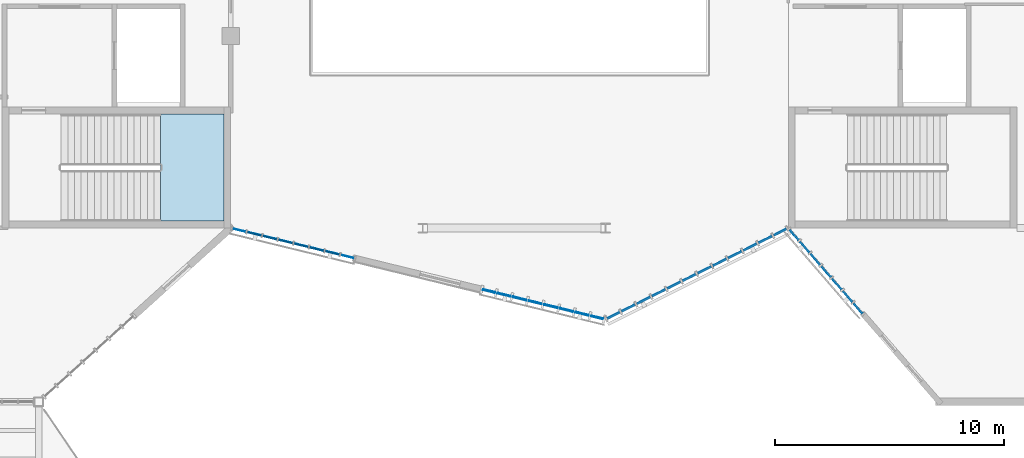
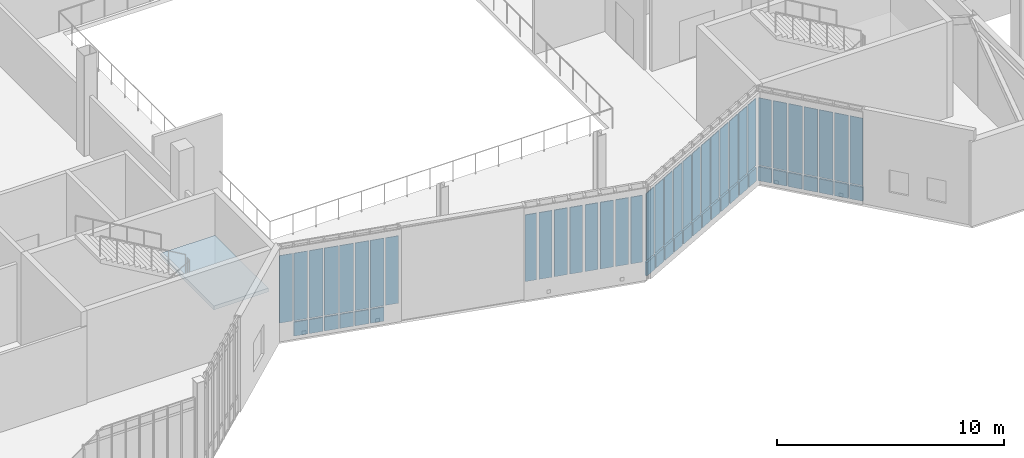
# One storey, part 73 of 127: 60 plates, 1 slab, 5 elements without a shape of their own.
"""IFC4 building model written with IfcOpenShell, lengths in metres."""

from ifc_helpers import new_model, si_unit, direction, frame, origin, origin_2d, place, context, subcontext, project, spatial, polyline, rectangle, outline, extrude, material, layer, layer_set, type_object, element, aggregate, save


model = new_model("IFC4")

# Units and contexts
model_context = context("Model", 3, precision=1e-05, world=origin(), true_north=direction((0.0, 1.0)))
body_context = subcontext(model_context, "Body", "Model", "MODEL_VIEW")
ifc_project = project(units=[si_unit("LENGTHUNIT", "METRE"), si_unit("AREAUNIT", "SQUARE_METRE"), si_unit("VOLUMEUNIT", "CUBIC_METRE"), si_unit("PLANEANGLEUNIT", "RADIAN"), si_unit("MASSUNIT", "GRAM", prefix="KILO")], contexts=[model_context])

# Site, building, storey
site_placement = place(None, origin())
site = spatial("IfcSite", under=ifc_project, at=site_placement, CompositionType="ELEMENT")
building_placement = place(site_placement, origin())
building = spatial("IfcBuilding", under=site, at=building_placement, Name="Larkvane Passage Sports Hall", CompositionType="ELEMENT")
storey_placement = place(building_placement, frame((0.0, 0.0, 5.39990234375)))
storey = spatial("IfcBuildingStorey", under=building, at=storey_placement, Name="L01", CompositionType="ELEMENT", Elevation=5.39990234375)

# Curtain wall, plates
ifc_material_1 = material(Name="Thermally broken aluminium and low-E glazing", Category="aluminium")
curtain_wall_type_1 = type_object("IfcCurtainWallType", Name="CW-STICK-FOYER", PredefinedType="USERDEFINED", material=ifc_material_1)
curtain_wall_1_placement = place(storey_placement, origin())
curtain_wall_1 = element("IfcCurtainWall", 1, at=curtain_wall_1_placement, inside=storey, type_object=curtain_wall_type_1, Name="Curtain wall CW5-L01-062", ObjectType="STICK CURTAIN WALL", PredefinedType="USERDEFINED")
ifc_material_2 = material(Name="Fire-stopped shadow-box spandrel panel")
ifc_layer_1 = layer(ifc_material_2, 0.10498046875)
ifc_layer_set_1 = layer_set([ifc_layer_1], Name="Fire-stopped shadow-box spandrel panel")
plate_type_1 = type_object("IfcPlateType", Name="CWP-SPD-105", PredefinedType="CURTAIN_PANEL", material=ifc_layer_set_1)
plate_1_placement = place(storey_placement, frame((117.64013671875, 22.6201171875, 0.080078125), z_axis=(0.0, 0.0, 1.0), x_axis=(-0.894429429556, -0.44720911836, 0.0)))
plate_1 = element("IfcPlate", 2, at=plate_1_placement, type_object=plate_type_1, Name="CW-03 panel 1.1", PredefinedType="CURTAIN_PANEL", context=body_context, shape_type="SweptSolid", body=[
    extrude(rectangle(XDim=0.62451171875, YDim=0.10498046875, at=origin_2d()), origin(), (0.0, 0.0, 1.0), 0.72998046875),
])
plate_2_placement = place(storey_placement, frame((116.9921875, 22.296142578125, 0.080078125), z_axis=(0.0, 0.0, 1.0), x_axis=(-0.894429429556, -0.44720911836, 0.0)))
plate_2 = element("IfcPlate", 3, at=plate_2_placement, type_object=plate_type_1, Name="CW-03 panel 2.1", PredefinedType="CURTAIN_PANEL", context=body_context, shape_type="SweptSolid", body=[
    extrude(rectangle(XDim=0.66455078125, YDim=0.10498046875, at=origin_2d()), origin(), (0.0, 0.0, 1.0), 0.72998046875),
])
plate_3_placement = place(storey_placement, frame((116.326171875, 21.963134765625, 0.080078125), z_axis=(0.0, 0.0, 1.0), x_axis=(-0.894429429556, -0.44720911836, 0.0)))
plate_3 = element("IfcPlate", 4, at=plate_3_placement, type_object=plate_type_1, Name="CW-03 panel 3.1", PredefinedType="CURTAIN_PANEL", context=body_context, shape_type="SweptSolid", body=[
    extrude(rectangle(XDim=0.66455078125, YDim=0.10498046875, at=origin_2d()), origin(), (0.0, 0.0, 1.0), 0.72998046875),
])
plate_4_placement = place(storey_placement, frame((115.660400390625, 21.630126953125, 0.080078125), z_axis=(0.0, 0.0, 1.0), x_axis=(-0.894429429556, -0.44720911836, 0.0)))
plate_4 = element("IfcPlate", 5, at=plate_4_placement, type_object=plate_type_1, Name="CW-03 panel 4.1", PredefinedType="CURTAIN_PANEL", context=body_context, shape_type="SweptSolid", body=[
    extrude(rectangle(XDim=0.66455078125, YDim=0.10498046875, at=origin_2d()), origin(), (0.0, 0.0, 1.0), 0.72998046875),
])
plate_5_placement = place(storey_placement, frame((114.994384765625, 21.297119140625, 0.080078125), z_axis=(0.0, 0.0, 1.0), x_axis=(-0.894429429556, -0.44720911836, 0.0)))
plate_5 = element("IfcPlate", 6, at=plate_5_placement, type_object=plate_type_1, Name="CW-03 panel 5.1", PredefinedType="CURTAIN_PANEL", context=body_context, shape_type="SweptSolid", body=[
    extrude(rectangle(XDim=0.66455078125, YDim=0.10498046875, at=origin_2d()), origin(), (0.0, 0.0, 1.0), 0.72998046875),
])
plate_6_placement = place(storey_placement, frame((114.32861328125, 20.964111328125, 0.080078125), z_axis=(0.0, 0.0, 1.0), x_axis=(-0.894429429556, -0.44720911836, 0.0)))
plate_6 = element("IfcPlate", 7, at=plate_6_placement, type_object=plate_type_1, Name="CW-03 panel 6.1", PredefinedType="CURTAIN_PANEL", context=body_context, shape_type="SweptSolid", body=[
    extrude(rectangle(XDim=0.66455078125, YDim=0.10498046875, at=origin_2d()), origin(), (0.0, 0.0, 1.0), 0.72998046875),
])
plate_7_placement = place(storey_placement, frame((113.66259765625, 20.63134765625, 0.080078125), z_axis=(0.0, 0.0, 1.0), x_axis=(-0.894429429556, -0.44720911836, 0.0)))
plate_7 = element("IfcPlate", 8, at=plate_7_placement, type_object=plate_type_1, Name="CW-03 panel 7.1", PredefinedType="CURTAIN_PANEL", context=body_context, shape_type="SweptSolid", body=[
    extrude(rectangle(XDim=0.66455078125, YDim=0.10498046875, at=origin_2d()), origin(), (0.0, 0.0, 1.0), 0.72998046875),
])
plate_8_placement = place(storey_placement, frame((112.99658203125, 20.29833984375, 0.080078125), z_axis=(0.0, 0.0, 1.0), x_axis=(-0.894429429556, -0.44720911836, 0.0)))
plate_8 = element("IfcPlate", 9, at=plate_8_placement, type_object=plate_type_1, Name="CW-03 panel 8.1", PredefinedType="CURTAIN_PANEL", context=body_context, shape_type="SweptSolid", body=[
    extrude(rectangle(XDim=0.66455078125, YDim=0.10498046875, at=origin_2d()), origin(), (0.0, 0.0, 1.0), 0.72998046875),
])
plate_9_placement = place(storey_placement, frame((112.330810546875, 19.96533203125, 0.080078125), z_axis=(0.0, 0.0, 1.0), x_axis=(-0.894429429556, -0.44720911836, 0.0)))
plate_9 = element("IfcPlate", 10, at=plate_9_placement, type_object=plate_type_1, Name="CW-03 panel 9.1", PredefinedType="CURTAIN_PANEL", context=body_context, shape_type="SweptSolid", body=[
    extrude(rectangle(XDim=0.66455078125, YDim=0.10498046875, at=origin_2d()), origin(), (0.0, 0.0, 1.0), 0.72998046875),
])
plate_10_placement = place(storey_placement, frame((111.664794921875, 19.63232421875, 0.080078125), z_axis=(0.0, 0.0, 1.0), x_axis=(-0.894429429556, -0.44720911836, 0.0)))
plate_10 = element("IfcPlate", 11, at=plate_10_placement, type_object=plate_type_1, Name="CW-03 panel 10.1", PredefinedType="CURTAIN_PANEL", context=body_context, shape_type="SweptSolid", body=[
    extrude(rectangle(XDim=0.66455078125, YDim=0.10498046875, at=origin_2d()), origin(), (0.0, 0.0, 1.0), 0.72998046875),
])
plate_11_placement = place(storey_placement, frame((110.998779296875, 19.29931640625, 0.080078125), z_axis=(0.0, 0.0, 1.0), x_axis=(-0.894429429556, -0.44720911836, 0.0)))
plate_11 = element("IfcPlate", 12, at=plate_11_placement, type_object=plate_type_1, Name="CW-03 panel 11.1", PredefinedType="CURTAIN_PANEL", context=body_context, shape_type="SweptSolid", body=[
    extrude(rectangle(XDim=0.66455078125, YDim=0.10498046875, at=origin_2d()), origin(), (0.0, 0.0, 1.0), 0.72998046875),
])
plate_12_placement = place(storey_placement, frame((110.350830078125, 18.975341796875, 0.080078125), z_axis=(0.0, 0.0, 1.0), x_axis=(-0.894429429556, -0.44720911836, 0.0)))
plate_12 = element("IfcPlate", 13, at=plate_12_placement, type_object=plate_type_1, Name="CW-03 panel 12.1", PredefinedType="CURTAIN_PANEL", context=body_context, shape_type="SweptSolid", body=[
    extrude(rectangle(XDim=0.62451171875, YDim=0.10498046875, at=origin_2d()), origin(), (0.0, 0.0, 1.0), 0.72998046875),
])

curtain_wall_type_2 = type_object("IfcCurtainWallType", Name="CW-UNIT-COURT", PredefinedType="USERDEFINED", material=ifc_material_1)
curtain_wall_2_placement = place(storey_placement, origin())
curtain_wall_2 = element("IfcCurtainWall", 14, at=curtain_wall_2_placement, inside=storey, type_object=curtain_wall_type_2, Name="Curtain wall CW5-L01-064", ObjectType="UNITISED CURTAIN WALL", PredefinedType="USERDEFINED")
ifc_material_3 = material(Name="Insulated aluminium spandrel panel", Category="aluminium")
ifc_layer_2 = layer(ifc_material_3, 0.06494140625)
ifc_layer_set_2 = layer_set([ifc_layer_2], Name="Insulated aluminium spandrel panel")
plate_type_2 = type_object("IfcPlateType", Name="CWP-SPD-65", PredefinedType="CURTAIN_PANEL", material=ifc_layer_set_2)
plate_13_placement = place(storey_placement, frame((98.04345703125, 21.71630859375, 0.065185546875), z_axis=(0.0, 0.0, 1.0), x_axis=(-0.971523437526, 0.236943474986, 0.0)))
plate_13 = element("IfcPlate", 15, at=plate_13_placement, type_object=plate_type_2, Name="CW-01 panel 2.1", PredefinedType="CURTAIN_PANEL", context=body_context, shape_type="SweptSolid", body=[
    extrude(rectangle(XDim=0.63720703125, YDim=0.06494140625, at=origin_2d()), origin(), (0.0, 0.0, 1.0), 0.75244140625),
])
plate_14_placement = place(storey_placement, frame((97.361328125, 21.882568359375, 0.065185546875), z_axis=(0.0, 0.0, 1.0), x_axis=(-0.971523437526, 0.236943474986, 0.0)))
plate_14 = element("IfcPlate", 16, at=plate_14_placement, type_object=plate_type_2, Name="CW-01 panel 3.1", PredefinedType="CURTAIN_PANEL", context=body_context, shape_type="SweptSolid", body=[
    extrude(rectangle(XDim=0.63720703125, YDim=0.06494140625, at=origin_2d()), origin(), (0.0, 0.0, 1.0), 0.75244140625),
])
plate_15_placement = place(storey_placement, frame((96.67919921875, 22.049072265625, 0.065185546875), z_axis=(0.0, 0.0, 1.0), x_axis=(-0.971523437526, 0.236943474986, 0.0)))
plate_15 = element("IfcPlate", 17, at=plate_15_placement, type_object=plate_type_2, Name="CW-01 panel 4.1", PredefinedType="CURTAIN_PANEL", context=body_context, shape_type="SweptSolid", body=[
    extrude(rectangle(XDim=0.63720703125, YDim=0.06494140625, at=origin_2d()), origin(), (0.0, 0.0, 1.0), 0.75244140625),
])
plate_16_placement = place(storey_placement, frame((95.9970703125, 22.21533203125, 0.065185546875), z_axis=(0.0, 0.0, 1.0), x_axis=(-0.971523437526, 0.236943474986, 0.0)))
plate_16 = element("IfcPlate", 18, at=plate_16_placement, type_object=plate_type_2, Name="CW-01 panel 5.1", PredefinedType="CURTAIN_PANEL", context=body_context, shape_type="SweptSolid", body=[
    extrude(rectangle(XDim=0.63720703125, YDim=0.06494140625, at=origin_2d()), origin(), (0.0, 0.0, 1.0), 0.75244140625),
])
plate_17_placement = place(storey_placement, frame((95.31494140625, 22.381591796875, 0.065185546875), z_axis=(0.0, 0.0, 1.0), x_axis=(-0.971523437526, 0.236943474986, 0.0)))
plate_17 = element("IfcPlate", 19, at=plate_17_placement, type_object=plate_type_2, Name="CW-01 panel 6.1", PredefinedType="CURTAIN_PANEL", context=body_context, shape_type="SweptSolid", body=[
    extrude(rectangle(XDim=0.63720703125, YDim=0.06494140625, at=origin_2d()), origin(), (0.0, 0.0, 1.0), 0.75244140625),
])
plate_18_placement = place(storey_placement, frame((94.6328125, 22.548095703125, 0.065185546875), z_axis=(0.0, 0.0, 1.0), x_axis=(-0.971523437526, 0.236943474986, 0.0)))
plate_18 = element("IfcPlate", 20, at=plate_18_placement, type_object=plate_type_2, Name="CW-01 panel 7.1", PredefinedType="CURTAIN_PANEL", context=body_context, shape_type="SweptSolid", body=[
    extrude(rectangle(XDim=0.63720703125, YDim=0.06494140625, at=origin_2d()), origin(), (0.0, 0.0, 1.0), 0.75244140625),
])

curtain_wall_type_3 = type_object("IfcCurtainWallType", Name="CW-UNIT-VEIL", PredefinedType="USERDEFINED", material=ifc_material_1)
curtain_wall_3_placement = place(storey_placement, origin())
curtain_wall_3 = element("IfcCurtainWall", 21, at=curtain_wall_3_placement, inside=storey, type_object=curtain_wall_type_3, Name="Curtain wall CW5-L01-061", ObjectType="UNITISED CURTAIN WALL", PredefinedType="USERDEFINED")
ifc_material_4 = material(Name="Mineral-wool insulated spandrel cassette")
ifc_layer_3 = layer(ifc_material_4, 0.0849609375)
ifc_layer_set_3 = layer_set([ifc_layer_3], Name="Mineral-wool insulated spandrel cassette")
plate_type_3 = type_object("IfcPlateType", Name="CWP-SPD-85", PredefinedType="CURTAIN_PANEL", material=ifc_layer_set_3)
plate_19_placement = place(storey_placement, frame((121.053466796875, 19.283935546875, 0.070068359375), z_axis=(0.0, 0.0, 1.0), x_axis=(-0.655684862253, 0.755034675635, 0.0)))
plate_19 = element("IfcPlate", 22, at=plate_19_placement, type_object=plate_type_3, Name="CW-02 panel 1.1", PredefinedType="CURTAIN_PANEL", context=body_context, shape_type="SweptSolid", body=[
    extrude(rectangle(XDim=0.612060546875, YDim=0.0849609375, at=origin_2d()), origin(), (0.0, 0.0, 1.0), 0.7451171875),
])
plate_20_placement = place(storey_placement, frame((120.5947265625, 19.812255859375, 0.070068359375), z_axis=(0.0, 0.0, 1.0), x_axis=(-0.655684862253, 0.755034675635, 0.0)))
plate_20 = element("IfcPlate", 23, at=plate_20_placement, type_object=plate_type_3, Name="CW-02 panel 2.1", PredefinedType="CURTAIN_PANEL", context=body_context, shape_type="SweptSolid", body=[
    extrude(rectangle(XDim=0.64697265625, YDim=0.0849609375, at=origin_2d()), origin(), (0.0, 0.0, 1.0), 0.7451171875),
])
plate_21_placement = place(storey_placement, frame((120.12451171875, 20.353515625, 0.070068359375), z_axis=(0.0, 0.0, 1.0), x_axis=(-0.655684862253, 0.755034675635, 0.0)))
plate_21 = element("IfcPlate", 24, at=plate_21_placement, type_object=plate_type_3, Name="CW-02 panel 3.1", PredefinedType="CURTAIN_PANEL", context=body_context, shape_type="SweptSolid", body=[
    extrude(rectangle(XDim=0.64697265625, YDim=0.0849609375, at=origin_2d()), origin(), (0.0, 0.0, 1.0), 0.7451171875),
])
plate_22_placement = place(storey_placement, frame((119.654296875, 20.89501953125, 0.070068359375), z_axis=(0.0, 0.0, 1.0), x_axis=(-0.655684862253, 0.755034675635, 0.0)))
plate_22 = element("IfcPlate", 25, at=plate_22_placement, type_object=plate_type_3, Name="CW-02 panel 4.1", PredefinedType="CURTAIN_PANEL", context=body_context, shape_type="SweptSolid", body=[
    extrude(rectangle(XDim=0.64697265625, YDim=0.0849609375, at=origin_2d()), origin(), (0.0, 0.0, 1.0), 0.7451171875),
])
plate_23_placement = place(storey_placement, frame((119.18408203125, 21.4365234375, 0.070068359375), z_axis=(0.0, 0.0, 1.0), x_axis=(-0.655684862253, 0.755034675635, 0.0)))
plate_23 = element("IfcPlate", 26, at=plate_23_placement, type_object=plate_type_3, Name="CW-02 panel 5.1", PredefinedType="CURTAIN_PANEL", context=body_context, shape_type="SweptSolid", body=[
    extrude(rectangle(XDim=0.64697265625, YDim=0.0849609375, at=origin_2d()), origin(), (0.0, 0.0, 1.0), 0.7451171875),
])
plate_24_placement = place(storey_placement, frame((118.7138671875, 21.977783203125, 0.070068359375), z_axis=(0.0, 0.0, 1.0), x_axis=(-0.655684862253, 0.755034675635, 0.0)))
plate_24 = element("IfcPlate", 27, at=plate_24_placement, type_object=plate_type_3, Name="CW-02 panel 6.1", PredefinedType="CURTAIN_PANEL", context=body_context, shape_type="SweptSolid", body=[
    extrude(rectangle(XDim=0.64697265625, YDim=0.0849609375, at=origin_2d()), origin(), (0.0, 0.0, 1.0), 0.7451171875),
])
plate_25_placement = place(storey_placement, frame((118.25537109375, 22.506103515625, 0.070068359375), z_axis=(0.0, 0.0, 1.0), x_axis=(-0.655684862253, 0.755034675635, 0.0)))
plate_25 = element("IfcPlate", 28, at=plate_25_placement, type_object=plate_type_3, Name="CW-02 panel 7.1", PredefinedType="CURTAIN_PANEL", context=body_context, shape_type="SweptSolid", body=[
    extrude(rectangle(XDim=0.612060546875, YDim=0.0849609375, at=origin_2d()), origin(), (0.0, 0.0, 1.0), 0.7451171875),
])

# Plate
ifc_material_5 = material(Name="Solar-control low-E double glazing", Category="glass")
ifc_layer_4 = layer(ifc_material_5, 0.028076171875)
ifc_layer_set_4 = layer_set([ifc_layer_4], Name="Solar-control low-E double glazing")
plate_type_4 = type_object("IfcPlateType", Name="CWP-VIS-28", PredefinedType="CURTAIN_PANEL", material=ifc_layer_set_4)
plate_26_placement = place(storey_placement, frame((98.7099609375, 21.5537109375, 0.8828125), z_axis=(0.0, 0.0, 1.0), x_axis=(-0.971523437526, 0.236943474986, 0.0)))
plate_26 = element("IfcPlate", 29, at=plate_26_placement, type_object=plate_type_4, Name="CW-01 panel 1.2", PredefinedType="CURTAIN_PANEL", context=body_context, shape_type="SweptSolid", body=[
    extrude(rectangle(XDim=0.604736328125, YDim=0.028076171875, at=origin_2d()), origin(), (0.0, 0.0, 1.0), 3.635009765625),
])

plate_27_placement = place(storey_placement, frame((98.04345703125, 21.71630859375, 0.8828125), z_axis=(0.0, 0.0, 1.0), x_axis=(-0.971523437526, 0.236943474986, 0.0)))
plate_27 = element("IfcPlate", 30, at=plate_27_placement, type_object=plate_type_4, Name="CW-01 panel 2.2", PredefinedType="CURTAIN_PANEL", context=body_context, shape_type="SweptSolid", body=[
    extrude(rectangle(XDim=0.63720703125, YDim=0.028076171875, at=origin_2d()), origin(), (0.0, 0.0, 1.0), 3.635009765625),
])

plate_28_placement = place(storey_placement, frame((97.361328125, 21.882568359375, 0.8828125), z_axis=(0.0, 0.0, 1.0), x_axis=(-0.971523437526, 0.236943474986, 0.0)))
plate_28 = element("IfcPlate", 31, at=plate_28_placement, type_object=plate_type_4, Name="CW-01 panel 3.2", PredefinedType="CURTAIN_PANEL", context=body_context, shape_type="SweptSolid", body=[
    extrude(rectangle(XDim=0.63720703125, YDim=0.028076171875, at=origin_2d()), origin(), (0.0, 0.0, 1.0), 3.635009765625),
])

plate_29_placement = place(storey_placement, frame((96.67919921875, 22.049072265625, 0.8828125), z_axis=(0.0, 0.0, 1.0), x_axis=(-0.971523437526, 0.236943474986, 0.0)))
plate_29 = element("IfcPlate", 32, at=plate_29_placement, type_object=plate_type_4, Name="CW-01 panel 4.2", PredefinedType="CURTAIN_PANEL", context=body_context, shape_type="SweptSolid", body=[
    extrude(rectangle(XDim=0.63720703125, YDim=0.028076171875, at=origin_2d()), origin(), (0.0, 0.0, 1.0), 3.635009765625),
])

plate_30_placement = place(storey_placement, frame((95.9970703125, 22.21533203125, 0.8828125), z_axis=(0.0, 0.0, 1.0), x_axis=(-0.971523437526, 0.236943474986, 0.0)))
plate_30 = element("IfcPlate", 33, at=plate_30_placement, type_object=plate_type_4, Name="CW-01 panel 5.2", PredefinedType="CURTAIN_PANEL", context=body_context, shape_type="SweptSolid", body=[
    extrude(rectangle(XDim=0.63720703125, YDim=0.028076171875, at=origin_2d()), origin(), (0.0, 0.0, 1.0), 3.635009765625),
])

plate_31_placement = place(storey_placement, frame((95.31494140625, 22.381591796875, 0.8828125), z_axis=(0.0, 0.0, 1.0), x_axis=(-0.971523437526, 0.236943474986, 0.0)))
plate_31 = element("IfcPlate", 34, at=plate_31_placement, type_object=plate_type_4, Name="CW-01 panel 6.2", PredefinedType="CURTAIN_PANEL", context=body_context, shape_type="SweptSolid", body=[
    extrude(rectangle(XDim=0.63720703125, YDim=0.028076171875, at=origin_2d()), origin(), (0.0, 0.0, 1.0), 3.635009765625),
])

plate_32_placement = place(storey_placement, frame((94.6328125, 22.548095703125, 0.8828125), z_axis=(0.0, 0.0, 1.0), x_axis=(-0.971523437526, 0.236943474986, 0.0)))
plate_32 = element("IfcPlate", 35, at=plate_32_placement, type_object=plate_type_4, Name="CW-01 panel 7.2", PredefinedType="CURTAIN_PANEL", context=body_context, shape_type="SweptSolid", body=[
    extrude(rectangle(XDim=0.63720703125, YDim=0.028076171875, at=origin_2d()), origin(), (0.0, 0.0, 1.0), 3.635009765625),
])

plate_33_placement = place(storey_placement, frame((93.966552734375, 22.71044921875, 0.8828125), z_axis=(0.0, 0.0, 1.0), x_axis=(-0.971523437526, 0.236943474986, 0.0)))
plate_33 = element("IfcPlate", 36, at=plate_33_placement, type_object=plate_type_4, Name="CW-01 panel 8.2", PredefinedType="CURTAIN_PANEL", context=body_context, shape_type="SweptSolid", body=[
    extrude(rectangle(XDim=0.604736328125, YDim=0.028076171875, at=origin_2d()), origin(), (0.0, 0.0, 1.0), 3.635009765625),
])

aggregate(curtain_wall_2, [plate_26, plate_13, plate_27, plate_14, plate_28, plate_15, plate_29, plate_16, plate_30, plate_17, plate_31, plate_18, plate_32, plate_33])

ifc_material_6 = material(Name="Laminated acoustic low-E glazing", Category="glass")
ifc_layer_5 = layer(ifc_material_6, 0.031982421875)
ifc_layer_set_5 = layer_set([ifc_layer_5], Name="Laminated acoustic low-E glazing")
plate_type_5 = type_object("IfcPlateType", Name="CWP-VIS-32", PredefinedType="CURTAIN_PANEL", material=ifc_layer_set_5)
plate_34_placement = place(storey_placement, frame((121.053466796875, 19.283935546875, 0.88525390625), z_axis=(0.0, 0.0, 1.0), x_axis=(-0.655684862253, 0.755034675635, 0.0)))
plate_34 = element("IfcPlate", 37, at=plate_34_placement, type_object=plate_type_5, Name="CW-02 panel 1.2", PredefinedType="CURTAIN_PANEL", context=body_context, shape_type="SweptSolid", body=[
    extrude(rectangle(XDim=0.612060546875, YDim=0.031982421875, at=origin_2d()), origin(), (0.0, 0.0, 1.0), 3.6298828125),
])

plate_35_placement = place(storey_placement, frame((120.5947265625, 19.812255859375, 0.88525390625), z_axis=(0.0, 0.0, 1.0), x_axis=(-0.655684862253, 0.755034675635, 0.0)))
plate_35 = element("IfcPlate", 38, at=plate_35_placement, type_object=plate_type_5, Name="CW-02 panel 2.2", PredefinedType="CURTAIN_PANEL", context=body_context, shape_type="SweptSolid", body=[
    extrude(rectangle(XDim=0.64697265625, YDim=0.031982421875, at=origin_2d()), origin(), (0.0, 0.0, 1.0), 3.6298828125),
])

plate_36_placement = place(storey_placement, frame((120.12451171875, 20.353515625, 0.88525390625), z_axis=(0.0, 0.0, 1.0), x_axis=(-0.655684862253, 0.755034675635, 0.0)))
plate_36 = element("IfcPlate", 39, at=plate_36_placement, type_object=plate_type_5, Name="CW-02 panel 3.2", PredefinedType="CURTAIN_PANEL", context=body_context, shape_type="SweptSolid", body=[
    extrude(rectangle(XDim=0.64697265625, YDim=0.031982421875, at=origin_2d()), origin(), (0.0, 0.0, 1.0), 3.6298828125),
])

plate_37_placement = place(storey_placement, frame((119.654296875, 20.89501953125, 0.88525390625), z_axis=(0.0, 0.0, 1.0), x_axis=(-0.655684862253, 0.755034675635, 0.0)))
plate_37 = element("IfcPlate", 40, at=plate_37_placement, type_object=plate_type_5, Name="CW-02 panel 4.2", PredefinedType="CURTAIN_PANEL", context=body_context, shape_type="SweptSolid", body=[
    extrude(rectangle(XDim=0.64697265625, YDim=0.031982421875, at=origin_2d()), origin(), (0.0, 0.0, 1.0), 3.6298828125),
])

plate_38_placement = place(storey_placement, frame((119.18408203125, 21.4365234375, 0.88525390625), z_axis=(0.0, 0.0, 1.0), x_axis=(-0.655684862253, 0.755034675635, 0.0)))
plate_38 = element("IfcPlate", 41, at=plate_38_placement, type_object=plate_type_5, Name="CW-02 panel 5.2", PredefinedType="CURTAIN_PANEL", context=body_context, shape_type="SweptSolid", body=[
    extrude(rectangle(XDim=0.64697265625, YDim=0.031982421875, at=origin_2d()), origin(), (0.0, 0.0, 1.0), 3.6298828125),
])

plate_39_placement = place(storey_placement, frame((118.7138671875, 21.977783203125, 0.88525390625), z_axis=(0.0, 0.0, 1.0), x_axis=(-0.655684862253, 0.755034675635, 0.0)))
plate_39 = element("IfcPlate", 42, at=plate_39_placement, type_object=plate_type_5, Name="CW-02 panel 6.2", PredefinedType="CURTAIN_PANEL", context=body_context, shape_type="SweptSolid", body=[
    extrude(rectangle(XDim=0.64697265625, YDim=0.031982421875, at=origin_2d()), origin(), (0.0, 0.0, 1.0), 3.6298828125),
])

plate_40_placement = place(storey_placement, frame((118.25537109375, 22.506103515625, 0.88525390625), z_axis=(0.0, 0.0, 1.0), x_axis=(-0.655684862253, 0.755034675635, 0.0)))
plate_40 = element("IfcPlate", 43, at=plate_40_placement, type_object=plate_type_5, Name="CW-02 panel 7.2", PredefinedType="CURTAIN_PANEL", context=body_context, shape_type="SweptSolid", body=[
    extrude(rectangle(XDim=0.612060546875, YDim=0.031982421875, at=origin_2d()), origin(), (0.0, 0.0, 1.0), 3.6298828125),
])

aggregate(curtain_wall_3, [plate_19, plate_34, plate_20, plate_35, plate_21, plate_36, plate_22, plate_37, plate_23, plate_38, plate_24, plate_39, plate_25, plate_40])

ifc_material_7 = material(Name="High-impact court low-E glazing", Category="glass")
ifc_layer_6 = layer(ifc_material_7, 0.035888671875)
ifc_layer_set_6 = layer_set([ifc_layer_6], Name="High-impact court low-E glazing")
plate_type_6 = type_object("IfcPlateType", Name="CWP-VIS-36", PredefinedType="CURTAIN_PANEL", material=ifc_layer_set_6)
plate_41_placement = place(storey_placement, frame((117.64013671875, 22.6201171875, 0.89013671875), z_axis=(0.0, 0.0, 1.0), x_axis=(-0.894429429556, -0.44720911836, 0.0)))
plate_41 = element("IfcPlate", 44, at=plate_41_placement, type_object=plate_type_6, Name="CW-03 panel 1.2", PredefinedType="CURTAIN_PANEL", context=body_context, shape_type="SweptSolid", body=[
    extrude(rectangle(XDim=0.62451171875, YDim=0.035888671875, at=origin_2d()), origin(), (0.0, 0.0, 1.0), 3.6201171875),
])

plate_42_placement = place(storey_placement, frame((116.9921875, 22.296142578125, 0.89013671875), z_axis=(0.0, 0.0, 1.0), x_axis=(-0.894429429556, -0.44720911836, 0.0)))
plate_42 = element("IfcPlate", 45, at=plate_42_placement, type_object=plate_type_6, Name="CW-03 panel 2.2", PredefinedType="CURTAIN_PANEL", context=body_context, shape_type="SweptSolid", body=[
    extrude(rectangle(XDim=0.66455078125, YDim=0.035888671875, at=origin_2d()), origin(), (0.0, 0.0, 1.0), 3.6201171875),
])

plate_43_placement = place(storey_placement, frame((116.326171875, 21.963134765625, 0.89013671875), z_axis=(0.0, 0.0, 1.0), x_axis=(-0.894429429556, -0.44720911836, 0.0)))
plate_43 = element("IfcPlate", 46, at=plate_43_placement, type_object=plate_type_6, Name="CW-03 panel 3.2", PredefinedType="CURTAIN_PANEL", context=body_context, shape_type="SweptSolid", body=[
    extrude(rectangle(XDim=0.66455078125, YDim=0.035888671875, at=origin_2d()), origin(), (0.0, 0.0, 1.0), 3.6201171875),
])

plate_44_placement = place(storey_placement, frame((115.660400390625, 21.630126953125, 0.89013671875), z_axis=(0.0, 0.0, 1.0), x_axis=(-0.894429429556, -0.44720911836, 0.0)))
plate_44 = element("IfcPlate", 47, at=plate_44_placement, type_object=plate_type_6, Name="CW-03 panel 4.2", PredefinedType="CURTAIN_PANEL", context=body_context, shape_type="SweptSolid", body=[
    extrude(rectangle(XDim=0.66455078125, YDim=0.035888671875, at=origin_2d()), origin(), (0.0, 0.0, 1.0), 3.6201171875),
])

plate_45_placement = place(storey_placement, frame((114.994384765625, 21.297119140625, 0.89013671875), z_axis=(0.0, 0.0, 1.0), x_axis=(-0.894429429556, -0.44720911836, 0.0)))
plate_45 = element("IfcPlate", 48, at=plate_45_placement, type_object=plate_type_6, Name="CW-03 panel 5.2", PredefinedType="CURTAIN_PANEL", context=body_context, shape_type="SweptSolid", body=[
    extrude(rectangle(XDim=0.66455078125, YDim=0.035888671875, at=origin_2d()), origin(), (0.0, 0.0, 1.0), 3.6201171875),
])

plate_46_placement = place(storey_placement, frame((114.32861328125, 20.964111328125, 0.89013671875), z_axis=(0.0, 0.0, 1.0), x_axis=(-0.894429429556, -0.44720911836, 0.0)))
plate_46 = element("IfcPlate", 49, at=plate_46_placement, type_object=plate_type_6, Name="CW-03 panel 6.2", PredefinedType="CURTAIN_PANEL", context=body_context, shape_type="SweptSolid", body=[
    extrude(rectangle(XDim=0.66455078125, YDim=0.035888671875, at=origin_2d()), origin(), (0.0, 0.0, 1.0), 3.6201171875),
])

plate_47_placement = place(storey_placement, frame((113.66259765625, 20.63134765625, 0.89013671875), z_axis=(0.0, 0.0, 1.0), x_axis=(-0.894429429556, -0.44720911836, 0.0)))
plate_47 = element("IfcPlate", 50, at=plate_47_placement, type_object=plate_type_6, Name="CW-03 panel 7.2", PredefinedType="CURTAIN_PANEL", context=body_context, shape_type="SweptSolid", body=[
    extrude(rectangle(XDim=0.66455078125, YDim=0.035888671875, at=origin_2d()), origin(), (0.0, 0.0, 1.0), 3.6201171875),
])

plate_48_placement = place(storey_placement, frame((112.99658203125, 20.29833984375, 0.89013671875), z_axis=(0.0, 0.0, 1.0), x_axis=(-0.894429429556, -0.44720911836, 0.0)))
plate_48 = element("IfcPlate", 51, at=plate_48_placement, type_object=plate_type_6, Name="CW-03 panel 8.2", PredefinedType="CURTAIN_PANEL", context=body_context, shape_type="SweptSolid", body=[
    extrude(rectangle(XDim=0.66455078125, YDim=0.035888671875, at=origin_2d()), origin(), (0.0, 0.0, 1.0), 3.6201171875),
])

plate_49_placement = place(storey_placement, frame((112.330810546875, 19.96533203125, 0.89013671875), z_axis=(0.0, 0.0, 1.0), x_axis=(-0.894429429556, -0.44720911836, 0.0)))
plate_49 = element("IfcPlate", 52, at=plate_49_placement, type_object=plate_type_6, Name="CW-03 panel 9.2", PredefinedType="CURTAIN_PANEL", context=body_context, shape_type="SweptSolid", body=[
    extrude(rectangle(XDim=0.66455078125, YDim=0.035888671875, at=origin_2d()), origin(), (0.0, 0.0, 1.0), 3.6201171875),
])

plate_50_placement = place(storey_placement, frame((111.664794921875, 19.63232421875, 0.89013671875), z_axis=(0.0, 0.0, 1.0), x_axis=(-0.894429429556, -0.44720911836, 0.0)))
plate_50 = element("IfcPlate", 53, at=plate_50_placement, type_object=plate_type_6, Name="CW-03 panel 10.2", PredefinedType="CURTAIN_PANEL", context=body_context, shape_type="SweptSolid", body=[
    extrude(rectangle(XDim=0.66455078125, YDim=0.035888671875, at=origin_2d()), origin(), (0.0, 0.0, 1.0), 3.6201171875),
])

plate_51_placement = place(storey_placement, frame((110.998779296875, 19.29931640625, 0.89013671875), z_axis=(0.0, 0.0, 1.0), x_axis=(-0.894429429556, -0.44720911836, 0.0)))
plate_51 = element("IfcPlate", 54, at=plate_51_placement, type_object=plate_type_6, Name="CW-03 panel 11.2", PredefinedType="CURTAIN_PANEL", context=body_context, shape_type="SweptSolid", body=[
    extrude(rectangle(XDim=0.66455078125, YDim=0.035888671875, at=origin_2d()), origin(), (0.0, 0.0, 1.0), 3.6201171875),
])

plate_52_placement = place(storey_placement, frame((110.350830078125, 18.975341796875, 0.89013671875), z_axis=(0.0, 0.0, 1.0), x_axis=(-0.894429429556, -0.44720911836, 0.0)))
plate_52 = element("IfcPlate", 55, at=plate_52_placement, type_object=plate_type_6, Name="CW-03 panel 12.2", PredefinedType="CURTAIN_PANEL", context=body_context, shape_type="SweptSolid", body=[
    extrude(rectangle(XDim=0.62451171875, YDim=0.035888671875, at=origin_2d()), origin(), (0.0, 0.0, 1.0), 3.6201171875),
])

aggregate(curtain_wall_1, [plate_1, plate_41, plate_2, plate_42, plate_3, plate_43, plate_4, plate_44, plate_5, plate_45, plate_6, plate_46, plate_7, plate_47, plate_8, plate_48, plate_9, plate_49, plate_10, plate_50, plate_11, plate_51, plate_12, plate_52])

# Curtain wall, plates
curtain_wall_type_4 = type_object("IfcCurtainWallType", Name="CW-CLINIC", PredefinedType="USERDEFINED", material=ifc_material_1)
curtain_wall_4_placement = place(storey_placement, origin())
curtain_wall_4 = element("IfcCurtainWall", 56, at=curtain_wall_4_placement, inside=storey, type_object=curtain_wall_type_4, Name="Curtain wall CW5-L01-063", ObjectType="UNITISED CURTAIN WALL", PredefinedType="USERDEFINED")
ifc_material_8 = material(Name="Triple-laminated typhoon glazing", Category="glass")
ifc_layer_7 = layer(ifc_material_8, 0.0419921875)
ifc_layer_set_7 = layer_set([ifc_layer_7], Name="Triple-laminated typhoon glazing")
plate_type_7 = type_object("IfcPlateType", Name="CWP-VIS-42", PredefinedType="CURTAIN_PANEL", material=ifc_layer_set_7)
plate_53_placement = place(storey_placement, frame((109.631591796875, 18.889892578125, 0.9052734375), z_axis=(0.0, 0.0, 1.0), x_axis=(-0.971522035097, 0.236949225196, 0.0)))
plate_53 = element("IfcPlate", 57, at=plate_53_placement, type_object=plate_type_7, Name="CW-05 panel 1.2", PredefinedType="CURTAIN_PANEL", context=body_context, shape_type="SweptSolid", body=[
    extrude(rectangle(XDim=0.538330078125, YDim=0.0419921875, at=origin_2d()), origin(), (0.0, 0.0, 1.0), 3.590087890625),
])
plate_54_placement = place(storey_placement, frame((108.97509765625, 19.050048828125, 0.9052734375), z_axis=(0.0, 0.0, 1.0), x_axis=(-0.971522035097, 0.236949225196, 0.0)))
plate_54 = element("IfcPlate", 58, at=plate_54_placement, type_object=plate_type_7, Name="CW-05 panel 2.2", PredefinedType="CURTAIN_PANEL", context=body_context, shape_type="SweptSolid", body=[
    extrude(rectangle(XDim=0.59326171875, YDim=0.0419921875, at=origin_2d()), origin(), (0.0, 0.0, 1.0), 3.590087890625),
])
plate_55_placement = place(storey_placement, frame((108.291748046875, 19.216552734375, 0.9052734375), z_axis=(0.0, 0.0, 1.0), x_axis=(-0.971522035097, 0.236949225196, 0.0)))
plate_55 = element("IfcPlate", 59, at=plate_55_placement, type_object=plate_type_7, Name="CW-05 panel 3.2", PredefinedType="CURTAIN_PANEL", context=body_context, shape_type="SweptSolid", body=[
    extrude(rectangle(XDim=0.59326171875, YDim=0.0419921875, at=origin_2d()), origin(), (0.0, 0.0, 1.0), 3.590087890625),
])
plate_56_placement = place(storey_placement, frame((107.6083984375, 19.38330078125, 0.9052734375), z_axis=(0.0, 0.0, 1.0), x_axis=(-0.971522035097, 0.236949225196, 0.0)))
plate_56 = element("IfcPlate", 60, at=plate_56_placement, type_object=plate_type_7, Name="CW-05 panel 4.2", PredefinedType="CURTAIN_PANEL", context=body_context, shape_type="SweptSolid", body=[
    extrude(rectangle(XDim=0.59326171875, YDim=0.0419921875, at=origin_2d()), origin(), (0.0, 0.0, 1.0), 3.590087890625),
])
plate_57_placement = place(storey_placement, frame((106.925048828125, 19.550048828125, 0.9052734375), z_axis=(0.0, 0.0, 1.0), x_axis=(-0.971522035097, 0.236949225196, 0.0)))
plate_57 = element("IfcPlate", 61, at=plate_57_placement, type_object=plate_type_7, Name="CW-05 panel 5.2", PredefinedType="CURTAIN_PANEL", context=body_context, shape_type="SweptSolid", body=[
    extrude(rectangle(XDim=0.59326171875, YDim=0.0419921875, at=origin_2d()), origin(), (0.0, 0.0, 1.0), 3.590087890625),
])
plate_58_placement = place(storey_placement, frame((106.24169921875, 19.716552734375, 0.9052734375), z_axis=(0.0, 0.0, 1.0), x_axis=(-0.971522035097, 0.236949225196, 0.0)))
plate_58 = element("IfcPlate", 62, at=plate_58_placement, type_object=plate_type_7, Name="CW-05 panel 6.2", PredefinedType="CURTAIN_PANEL", context=body_context, shape_type="SweptSolid", body=[
    extrude(rectangle(XDim=0.59326171875, YDim=0.0419921875, at=origin_2d()), origin(), (0.0, 0.0, 1.0), 3.590087890625),
])
plate_59_placement = place(storey_placement, frame((105.558349609375, 19.88330078125, 0.9052734375), z_axis=(0.0, 0.0, 1.0), x_axis=(-0.971522035097, 0.236949225196, 0.0)))
plate_59 = element("IfcPlate", 63, at=plate_59_placement, type_object=plate_type_7, Name="CW-05 panel 7.2", PredefinedType="CURTAIN_PANEL", context=body_context, shape_type="SweptSolid", body=[
    extrude(rectangle(XDim=0.59326171875, YDim=0.0419921875, at=origin_2d()), origin(), (0.0, 0.0, 1.0), 3.590087890625),
])
plate_60_placement = place(storey_placement, frame((104.901611328125, 20.04345703125, 0.9052734375), z_axis=(0.0, 0.0, 1.0), x_axis=(-0.971522035097, 0.236949225196, 0.0)))
plate_60 = element("IfcPlate", 64, at=plate_60_placement, type_object=plate_type_7, Name="CW-05 panel 8.2", PredefinedType="CURTAIN_PANEL", context=body_context, shape_type="SweptSolid", body=[
    extrude(rectangle(XDim=0.538330078125, YDim=0.0419921875, at=origin_2d()), origin(), (0.0, 0.0, 1.0), 3.590087890625),
])
aggregate(curtain_wall_4, [plate_53, plate_54, plate_55, plate_56, plate_57, plate_58, plate_59, plate_60])

# Stair, slab
ifc_material_9 = material(Name="Concrete C40/50", Category="concrete")
stair_type = type_object("IfcStairType", Name="STR-CORE-2250", PredefinedType="HALF_TURN_STAIR", material=ifc_material_9)
stair_placement = place(storey_placement, origin())
stair = element("IfcStair", 65, at=stair_placement, inside=storey, type_object=stair_type, Name="L01 Protected exit stair ST-04", PredefinedType="HALF_TURN_STAIR")
ifc_layer_8 = layer(ifc_material_9, 0.199951171875)
ifc_layer_set_8 = layer_set([ifc_layer_8], Name="Concrete C40/50")
slab_type = type_object("IfcSlabType", Name="SLB-LAND-200", PredefinedType="LANDING", material=ifc_layer_set_8)
slab_placement = place(storey_placement, frame((0.0, 0.0, 2.5)))
slab = element("IfcSlab", 66, at=slab_placement, type_object=slab_type, Name="ST-04 landing 1", PredefinedType="LANDING", context=body_context, shape_type="SweptSolid", body=[
    extrude(outline(polyline([(90.530029296875, 23.10009765625), (93.300048828125, 23.10009765625), (93.300048828125, 27.800048828125), (90.530029296875, 27.800048828125), (90.530029296875, 23.10009765625)])), origin(), (0.0, 0.0, 1.0), 0.2001953125),
])
aggregate(stair, [slab])

save(model, "model.ifc")
